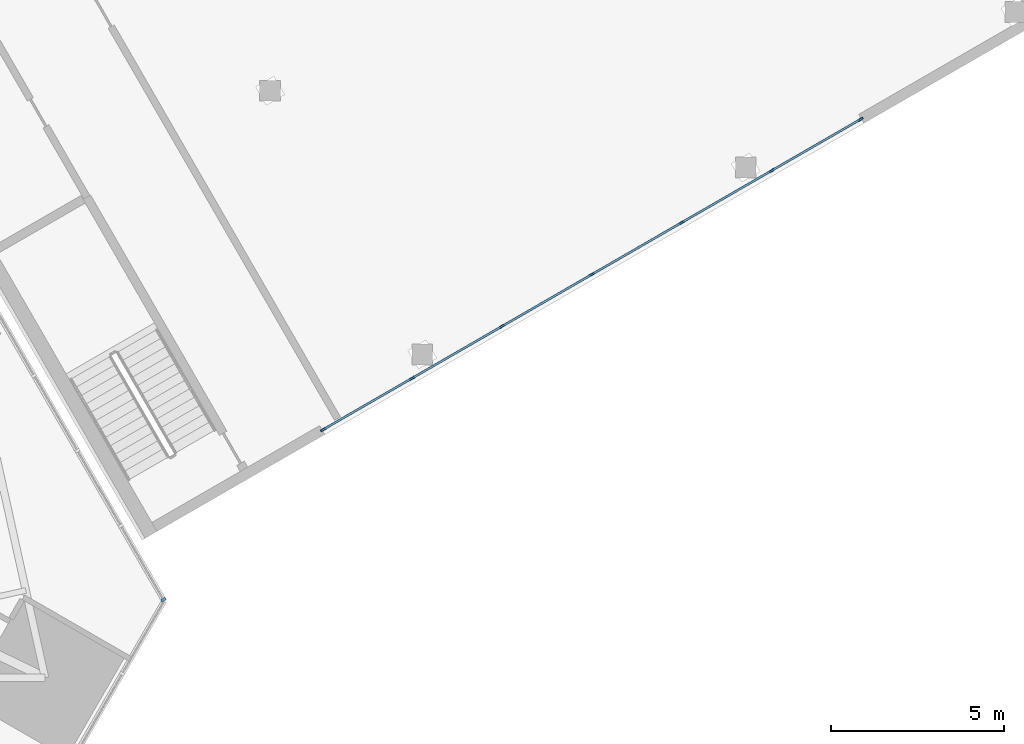
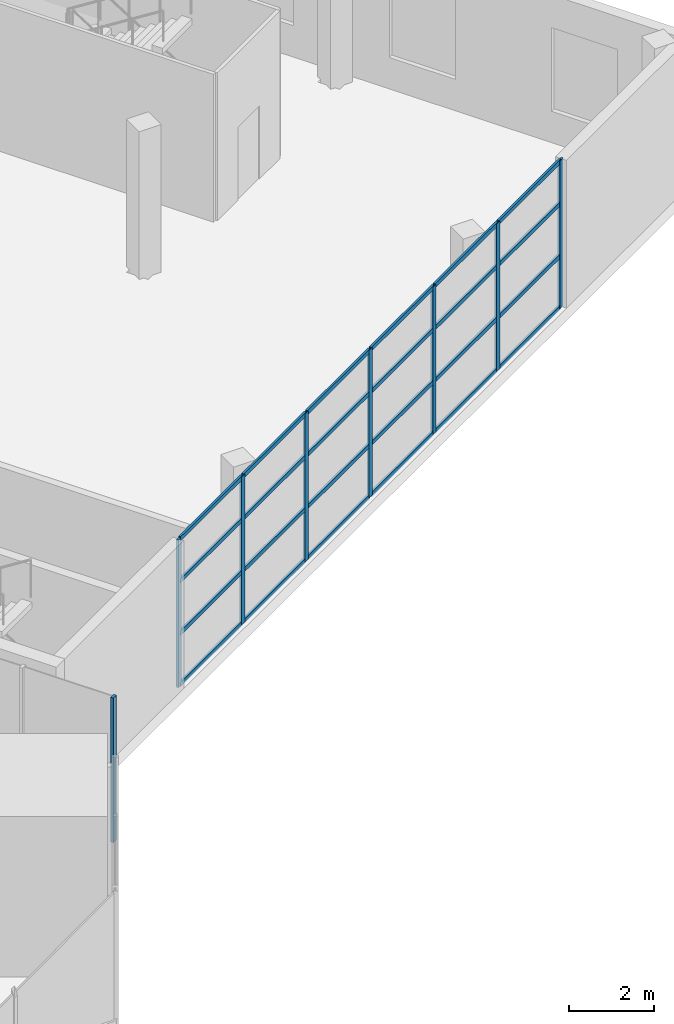
# One storey, part 13 of 30: 32 members, 2 elements without a shape of their own.
"""IFC4 building model written with IfcOpenShell, lengths in metres."""

from ifc_helpers import new_model, si_unit, direction, frame, origin, origin_2d, place, context, subcontext, project, spatial, rectangle, extrude, material, layer, layer_set, material_profile, profile_set, type_object, element, aggregate, save


model = new_model("IFC4")

# Units and contexts
model_context = context("Model", 3, precision=1e-05, world=origin(), true_north=direction((0.0, 1.0)))
body_context = subcontext(model_context, "Body", "Model", "MODEL_VIEW")
ifc_project = project(units=[si_unit("LENGTHUNIT", "METRE"), si_unit("AREAUNIT", "SQUARE_METRE"), si_unit("VOLUMEUNIT", "CUBIC_METRE"), si_unit("PLANEANGLEUNIT", "RADIAN"), si_unit("MASSUNIT", "GRAM", prefix="KILO")], contexts=[model_context])

# Site, building, storey
site_placement = place(None, origin())
site = spatial("IfcSite", under=ifc_project, at=site_placement, CompositionType="ELEMENT")
building_placement = place(site_placement, origin())
building = spatial("IfcBuilding", under=site, at=building_placement, Name="Firuza Gate Tower and Library", CompositionType="ELEMENT")
storey_placement = place(building_placement, frame((0.0, 0.0, 12.60009765625)))
storey = spatial("IfcBuildingStorey", under=building, at=storey_placement, Name="L02", CompositionType="ELEMENT", Elevation=12.60009765625)

# Curtain wall, member
ifc_material_1 = material(Name="Aluminium 6063-T6", Category="aluminium")
ifc_layer = layer(ifc_material_1, 0.14990234375)
ifc_layer_set = layer_set([ifc_layer], Name="Stick curtain wall, podium")
curtain_wall_type_1 = type_object("IfcCurtainWallType", Name="Stick curtain wall, podium", PredefinedType="NOTDEFINED", material=ifc_layer_set)
placement = place(storey_placement, origin())
curtain_wall_1 = element("IfcCurtainWall", 1, at=placement, inside=storey, type_object=curtain_wall_type_1, Name="CW5 L02 E", PredefinedType="NOTDEFINED")
ifc_material_2 = material(Name="Aluminium 6063-T6", Category="aluminium")
ifc_material_profile_1 = material_profile(ifc_material_2, rectangle(XDim=0.14990234375, YDim=0.080078125, at=origin_2d()))
ifc_profile_set_1 = profile_set([ifc_material_profile_1], Name="Aluminium 6063-T6")
member_type_1 = type_object("IfcMemberType", Name="Curtain wall mullion 80x150", PredefinedType="MULLION", material=ifc_profile_set_1)
member_1_placement = place(storey_placement, frame((107.466552734375, 60.4853515625, 0.14990234375), z_axis=(0.0, 0.0, 1.0), x_axis=(-0.866025403784, -0.5, 0.0)))
member_1 = element("IfcMember", 2, at=member_1_placement, type_object=member_type_1, Name="Mullion", PredefinedType="MULLION", context=body_context, shape_type="SweptSolid", body=[
    extrude(rectangle(XDim=0.14990234375, YDim=0.080078125, at=origin_2d()), origin(), (0.0, 0.0, 1.0), 4.14990234375),
])
aggregate(curtain_wall_1, [member_1])

# Curtain wall, members
ifc_material_3 = material(Name="Aluminium", Category="aluminium")
curtain_wall_type_2 = type_object("IfcCurtainWallType", Name="LIB CURTAIN WALL", PredefinedType="NOTDEFINED", material=ifc_material_3)
curtain_wall_2 = element("IfcCurtainWall", 3, at=placement, inside=storey, type_object=curtain_wall_type_2, Name="L02 south curtain wall", PredefinedType="NOTDEFINED")
ifc_material_4 = material(Name="Aluminium", Category="aluminium")
ifc_material_profile_2 = material_profile(ifc_material_4, rectangle(XDim=0.06005859375, YDim=0.159912109375, at=origin_2d()))
ifc_profile_set_2 = profile_set([ifc_material_profile_2], Name="Aluminium")
member_type_2 = type_object("IfcMemberType", Name="LIB MULLION 60X160", PredefinedType="MULLION", material=ifc_profile_set_2)
member_2_placement = place(storey_placement, frame((112.080078125, 65.404541015625, 0.0), z_axis=(0.0, 0.0, 1.0), x_axis=(-0.500001377656, 0.866024608393, 0.0)))
member_2 = element("IfcMember", 4, at=member_2_placement, type_object=member_type_2, Name="LIB-CW mullion 1", PredefinedType="MULLION", context=body_context, shape_type="SweptSolid", body=[
    extrude(rectangle(XDim=0.06005859375, YDim=0.159912109375, at=origin_2d()), origin(), (0.0, 0.0, 1.0), 4.239990234375),
])
member_3_placement = place(storey_placement, frame((114.65234375, 66.889404296875, 0.0), z_axis=(0.0, 0.0, 1.0), x_axis=(-0.500001377656, 0.866024608393, 0.0)))
member_3 = element("IfcMember", 5, at=member_3_placement, type_object=member_type_2, Name="LIB-CW mullion 2", PredefinedType="MULLION", context=body_context, shape_type="SweptSolid", body=[
    extrude(rectangle(XDim=0.06005859375, YDim=0.159912109375, at=origin_2d()), origin(), (0.0, 0.0, 1.0), 4.239990234375),
])
member_4_placement = place(storey_placement, frame((117.250244140625, 68.389404296875, 0.0), z_axis=(0.0, 0.0, 1.0), x_axis=(-0.500001377656, 0.866024608393, 0.0)))
member_4 = element("IfcMember", 6, at=member_4_placement, type_object=member_type_2, Name="LIB-CW mullion 3", PredefinedType="MULLION", context=body_context, shape_type="SweptSolid", body=[
    extrude(rectangle(XDim=0.06005859375, YDim=0.159912109375, at=origin_2d()), origin(), (0.0, 0.0, 1.0), 4.239990234375),
])
member_5_placement = place(storey_placement, frame((119.848388671875, 69.889404296875, 0.0), z_axis=(0.0, 0.0, 1.0), x_axis=(-0.500001377656, 0.866024608393, 0.0)))
member_5 = element("IfcMember", 7, at=member_5_placement, type_object=member_type_2, Name="LIB-CW mullion 4", PredefinedType="MULLION", context=body_context, shape_type="SweptSolid", body=[
    extrude(rectangle(XDim=0.06005859375, YDim=0.159912109375, at=origin_2d()), origin(), (0.0, 0.0, 1.0), 4.239990234375),
])
member_6_placement = place(storey_placement, frame((122.446533203125, 71.389404296875, 0.0), z_axis=(0.0, 0.0, 1.0), x_axis=(-0.500001377656, 0.866024608393, 0.0)))
member_6 = element("IfcMember", 8, at=member_6_placement, type_object=member_type_2, Name="LIB-CW mullion 5", PredefinedType="MULLION", context=body_context, shape_type="SweptSolid", body=[
    extrude(rectangle(XDim=0.06005859375, YDim=0.159912109375, at=origin_2d()), origin(), (0.0, 0.0, 1.0), 4.239990234375),
])
member_7_placement = place(storey_placement, frame((125.04443359375, 72.889404296875, 0.0), z_axis=(0.0, 0.0, 1.0), x_axis=(-0.500001377656, 0.866024608393, 0.0)))
member_7 = element("IfcMember", 9, at=member_7_placement, type_object=member_type_2, Name="LIB-CW mullion 6", PredefinedType="MULLION", context=body_context, shape_type="SweptSolid", body=[
    extrude(rectangle(XDim=0.06005859375, YDim=0.159912109375, at=origin_2d()), origin(), (0.0, 0.0, 1.0), 4.239990234375),
])
member_8_placement = place(storey_placement, frame((127.61669921875, 74.37451171875, 0.0), z_axis=(0.0, 0.0, 1.0), x_axis=(-0.500001377656, 0.866024608393, 0.0)))
member_8 = element("IfcMember", 10, at=member_8_placement, type_object=member_type_2, Name="LIB-CW mullion 7", PredefinedType="MULLION", context=body_context, shape_type="SweptSolid", body=[
    extrude(rectangle(XDim=0.06005859375, YDim=0.159912109375, at=origin_2d()), origin(), (0.0, 0.0, 1.0), 4.239990234375),
])
ifc_material_5 = material(Name="Aluminium", Category="aluminium")
ifc_material_profile_3 = material_profile(ifc_material_5, rectangle(XDim=0.06005859375, YDim=0.1201171875, at=origin_2d()))
ifc_profile_set_3 = profile_set([ifc_material_profile_3], Name="Aluminium")
member_type_3 = type_object("IfcMemberType", Name="LIB TRANSOM 60X120", PredefinedType="USERDEFINED", material=ifc_profile_set_3)
member_9_placement = place(storey_placement, frame((112.106201171875, 65.41943359375, 0.02978515625), z_axis=(0.866003949776, 0.500037157592, 0.0), x_axis=(-0.500037157592, 0.866003949776, 0.0)))
member_9 = element("IfcMember", 11, at=member_9_placement, type_object=member_type_3, Name="LIB-CW transom 1.1", ObjectType="TRANSOM", PredefinedType="USERDEFINED", context=body_context, shape_type="SweptSolid", body=[
    extrude(rectangle(XDim=0.06005859375, YDim=0.1201171875, at=origin_2d()), origin(), (0.0, 0.0, 1.0), 2.909912109375),
])
member_10_placement = place(storey_placement, frame((112.106201171875, 65.41943359375, 1.5), z_axis=(0.866003949776, 0.500037157592, 0.0), x_axis=(-0.500037157592, 0.866003949776, 0.0)))
member_10 = element("IfcMember", 12, at=member_10_placement, type_object=member_type_3, Name="LIB-CW transom 1.2", ObjectType="TRANSOM", PredefinedType="USERDEFINED", context=body_context, shape_type="SweptSolid", body=[
    extrude(rectangle(XDim=0.06005859375, YDim=0.1201171875, at=origin_2d()), origin(), (0.0, 0.0, 1.0), 2.909912109375),
])
member_11_placement = place(storey_placement, frame((112.106201171875, 65.41943359375, 3.0), z_axis=(0.866003949776, 0.500037157592, 0.0), x_axis=(-0.500037157592, 0.866003949776, 0.0)))
member_11 = element("IfcMember", 13, at=member_11_placement, type_object=member_type_3, Name="LIB-CW transom 1.3", ObjectType="TRANSOM", PredefinedType="USERDEFINED", context=body_context, shape_type="SweptSolid", body=[
    extrude(rectangle(XDim=0.06005859375, YDim=0.1201171875, at=origin_2d()), origin(), (0.0, 0.0, 1.0), 2.909912109375),
])
member_12_placement = place(storey_placement, frame((112.106201171875, 65.41943359375, 4.2099609375), z_axis=(0.866003949776, 0.500037157592, 0.0), x_axis=(-0.500037157592, 0.866003949776, 0.0)))
member_12 = element("IfcMember", 14, at=member_12_placement, type_object=member_type_3, Name="LIB-CW transom 1.4", ObjectType="TRANSOM", PredefinedType="USERDEFINED", context=body_context, shape_type="SweptSolid", body=[
    extrude(rectangle(XDim=0.06005859375, YDim=0.1201171875, at=origin_2d()), origin(), (0.0, 0.0, 1.0), 2.909912109375),
])
member_13_placement = place(storey_placement, frame((114.67822265625, 66.904541015625, 0.02978515625), z_axis=(0.866032090307, 0.499988418424, 0.0), x_axis=(-0.499988418424, 0.866032090307, 0.0)))
member_13 = element("IfcMember", 15, at=member_13_placement, type_object=member_type_3, Name="LIB-CW transom 2.1", ObjectType="TRANSOM", PredefinedType="USERDEFINED", context=body_context, shape_type="SweptSolid", body=[
    extrude(rectangle(XDim=0.06005859375, YDim=0.1201171875, at=origin_2d()), origin(), (0.0, 0.0, 1.0), 2.93994140625),
])
member_14_placement = place(storey_placement, frame((114.67822265625, 66.904541015625, 1.5), z_axis=(0.866032090307, 0.499988418424, 0.0), x_axis=(-0.499988418424, 0.866032090307, 0.0)))
member_14 = element("IfcMember", 16, at=member_14_placement, type_object=member_type_3, Name="LIB-CW transom 2.2", ObjectType="TRANSOM", PredefinedType="USERDEFINED", context=body_context, shape_type="SweptSolid", body=[
    extrude(rectangle(XDim=0.06005859375, YDim=0.1201171875, at=origin_2d()), origin(), (0.0, 0.0, 1.0), 2.93994140625),
])
member_15_placement = place(storey_placement, frame((114.67822265625, 66.904541015625, 3.0), z_axis=(0.866032090307, 0.499988418424, 0.0), x_axis=(-0.499988418424, 0.866032090307, 0.0)))
member_15 = element("IfcMember", 17, at=member_15_placement, type_object=member_type_3, Name="LIB-CW transom 2.3", ObjectType="TRANSOM", PredefinedType="USERDEFINED", context=body_context, shape_type="SweptSolid", body=[
    extrude(rectangle(XDim=0.06005859375, YDim=0.1201171875, at=origin_2d()), origin(), (0.0, 0.0, 1.0), 2.93994140625),
])
member_16_placement = place(storey_placement, frame((114.67822265625, 66.904541015625, 4.2099609375), z_axis=(0.866032090307, 0.499988418424, 0.0), x_axis=(-0.499988418424, 0.866032090307, 0.0)))
member_16 = element("IfcMember", 18, at=member_16_placement, type_object=member_type_3, Name="LIB-CW transom 2.4", ObjectType="TRANSOM", PredefinedType="USERDEFINED", context=body_context, shape_type="SweptSolid", body=[
    extrude(rectangle(XDim=0.06005859375, YDim=0.1201171875, at=origin_2d()), origin(), (0.0, 0.0, 1.0), 2.93994140625),
])
member_17_placement = place(storey_placement, frame((117.2763671875, 68.404541015625, 0.02978515625), z_axis=(0.866032090307, 0.499988418424, 0.0), x_axis=(-0.499988418424, 0.866032090307, 0.0)))
member_17 = element("IfcMember", 19, at=member_17_placement, type_object=member_type_3, Name="LIB-CW transom 3.1", ObjectType="TRANSOM", PredefinedType="USERDEFINED", context=body_context, shape_type="SweptSolid", body=[
    extrude(rectangle(XDim=0.06005859375, YDim=0.1201171875, at=origin_2d()), origin(), (0.0, 0.0, 1.0), 2.93994140625),
])
member_18_placement = place(storey_placement, frame((117.2763671875, 68.404541015625, 1.5), z_axis=(0.866032090307, 0.499988418424, 0.0), x_axis=(-0.499988418424, 0.866032090307, 0.0)))
member_18 = element("IfcMember", 20, at=member_18_placement, type_object=member_type_3, Name="LIB-CW transom 3.2", ObjectType="TRANSOM", PredefinedType="USERDEFINED", context=body_context, shape_type="SweptSolid", body=[
    extrude(rectangle(XDim=0.06005859375, YDim=0.1201171875, at=origin_2d()), origin(), (0.0, 0.0, 1.0), 2.93994140625),
])
member_19_placement = place(storey_placement, frame((117.2763671875, 68.404541015625, 3.0), z_axis=(0.866032090307, 0.499988418424, 0.0), x_axis=(-0.499988418424, 0.866032090307, 0.0)))
member_19 = element("IfcMember", 21, at=member_19_placement, type_object=member_type_3, Name="LIB-CW transom 3.3", ObjectType="TRANSOM", PredefinedType="USERDEFINED", context=body_context, shape_type="SweptSolid", body=[
    extrude(rectangle(XDim=0.06005859375, YDim=0.1201171875, at=origin_2d()), origin(), (0.0, 0.0, 1.0), 2.93994140625),
])
member_20_placement = place(storey_placement, frame((117.2763671875, 68.404541015625, 4.2099609375), z_axis=(0.866032090307, 0.499988418424, 0.0), x_axis=(-0.499988418424, 0.866032090307, 0.0)))
member_20 = element("IfcMember", 22, at=member_20_placement, type_object=member_type_3, Name="LIB-CW transom 3.4", ObjectType="TRANSOM", PredefinedType="USERDEFINED", context=body_context, shape_type="SweptSolid", body=[
    extrude(rectangle(XDim=0.06005859375, YDim=0.1201171875, at=origin_2d()), origin(), (0.0, 0.0, 1.0), 2.93994140625),
])
member_21_placement = place(storey_placement, frame((119.874267578125, 69.904541015625, 0.02978515625), z_axis=(0.866032090307, 0.499988418424, 0.0), x_axis=(-0.499988418424, 0.866032090307, 0.0)))
member_21 = element("IfcMember", 23, at=member_21_placement, type_object=member_type_3, Name="LIB-CW transom 4.1", ObjectType="TRANSOM", PredefinedType="USERDEFINED", context=body_context, shape_type="SweptSolid", body=[
    extrude(rectangle(XDim=0.06005859375, YDim=0.1201171875, at=origin_2d()), origin(), (0.0, 0.0, 1.0), 2.93994140625),
])
member_22_placement = place(storey_placement, frame((119.874267578125, 69.904541015625, 1.5), z_axis=(0.866032090307, 0.499988418424, 0.0), x_axis=(-0.499988418424, 0.866032090307, 0.0)))
member_22 = element("IfcMember", 24, at=member_22_placement, type_object=member_type_3, Name="LIB-CW transom 4.2", ObjectType="TRANSOM", PredefinedType="USERDEFINED", context=body_context, shape_type="SweptSolid", body=[
    extrude(rectangle(XDim=0.06005859375, YDim=0.1201171875, at=origin_2d()), origin(), (0.0, 0.0, 1.0), 2.93994140625),
])
member_23_placement = place(storey_placement, frame((119.874267578125, 69.904541015625, 3.0), z_axis=(0.866032090307, 0.499988418424, 0.0), x_axis=(-0.499988418424, 0.866032090307, 0.0)))
member_23 = element("IfcMember", 25, at=member_23_placement, type_object=member_type_3, Name="LIB-CW transom 4.3", ObjectType="TRANSOM", PredefinedType="USERDEFINED", context=body_context, shape_type="SweptSolid", body=[
    extrude(rectangle(XDim=0.06005859375, YDim=0.1201171875, at=origin_2d()), origin(), (0.0, 0.0, 1.0), 2.93994140625),
])
member_24_placement = place(storey_placement, frame((119.874267578125, 69.904541015625, 4.2099609375), z_axis=(0.866032090307, 0.499988418424, 0.0), x_axis=(-0.499988418424, 0.866032090307, 0.0)))
member_24 = element("IfcMember", 26, at=member_24_placement, type_object=member_type_3, Name="LIB-CW transom 4.4", ObjectType="TRANSOM", PredefinedType="USERDEFINED", context=body_context, shape_type="SweptSolid", body=[
    extrude(rectangle(XDim=0.06005859375, YDim=0.1201171875, at=origin_2d()), origin(), (0.0, 0.0, 1.0), 2.93994140625),
])
member_25_placement = place(storey_placement, frame((122.472412109375, 71.404541015625, 0.02978515625), z_axis=(0.866032090307, 0.499988418424, 0.0), x_axis=(-0.499988418424, 0.866032090307, 0.0)))
member_25 = element("IfcMember", 27, at=member_25_placement, type_object=member_type_3, Name="LIB-CW transom 5.1", ObjectType="TRANSOM", PredefinedType="USERDEFINED", context=body_context, shape_type="SweptSolid", body=[
    extrude(rectangle(XDim=0.06005859375, YDim=0.1201171875, at=origin_2d()), origin(), (0.0, 0.0, 1.0), 2.93994140625),
])
member_26_placement = place(storey_placement, frame((122.472412109375, 71.404541015625, 1.5), z_axis=(0.866032090307, 0.499988418424, 0.0), x_axis=(-0.499988418424, 0.866032090307, 0.0)))
member_26 = element("IfcMember", 28, at=member_26_placement, type_object=member_type_3, Name="LIB-CW transom 5.2", ObjectType="TRANSOM", PredefinedType="USERDEFINED", context=body_context, shape_type="SweptSolid", body=[
    extrude(rectangle(XDim=0.06005859375, YDim=0.1201171875, at=origin_2d()), origin(), (0.0, 0.0, 1.0), 2.93994140625),
])
member_27_placement = place(storey_placement, frame((122.472412109375, 71.404541015625, 3.0), z_axis=(0.866032090307, 0.499988418424, 0.0), x_axis=(-0.499988418424, 0.866032090307, 0.0)))
member_27 = element("IfcMember", 29, at=member_27_placement, type_object=member_type_3, Name="LIB-CW transom 5.3", ObjectType="TRANSOM", PredefinedType="USERDEFINED", context=body_context, shape_type="SweptSolid", body=[
    extrude(rectangle(XDim=0.06005859375, YDim=0.1201171875, at=origin_2d()), origin(), (0.0, 0.0, 1.0), 2.93994140625),
])
member_28_placement = place(storey_placement, frame((122.472412109375, 71.404541015625, 4.2099609375), z_axis=(0.866032090307, 0.499988418424, 0.0), x_axis=(-0.499988418424, 0.866032090307, 0.0)))
member_28 = element("IfcMember", 30, at=member_28_placement, type_object=member_type_3, Name="LIB-CW transom 5.4", ObjectType="TRANSOM", PredefinedType="USERDEFINED", context=body_context, shape_type="SweptSolid", body=[
    extrude(rectangle(XDim=0.06005859375, YDim=0.1201171875, at=origin_2d()), origin(), (0.0, 0.0, 1.0), 2.93994140625),
])
member_29_placement = place(storey_placement, frame((125.070556640625, 72.904541015625, 0.02978515625), z_axis=(0.866003949776, 0.500037157592, 0.0), x_axis=(-0.500037157592, 0.866003949776, 0.0)))
member_29 = element("IfcMember", 31, at=member_29_placement, type_object=member_type_3, Name="LIB-CW transom 6.1", ObjectType="TRANSOM", PredefinedType="USERDEFINED", context=body_context, shape_type="SweptSolid", body=[
    extrude(rectangle(XDim=0.06005859375, YDim=0.1201171875, at=origin_2d()), origin(), (0.0, 0.0, 1.0), 2.909912109375),
])
member_30_placement = place(storey_placement, frame((125.070556640625, 72.904541015625, 1.5), z_axis=(0.866003949776, 0.500037157592, 0.0), x_axis=(-0.500037157592, 0.866003949776, 0.0)))
member_30 = element("IfcMember", 32, at=member_30_placement, type_object=member_type_3, Name="LIB-CW transom 6.2", ObjectType="TRANSOM", PredefinedType="USERDEFINED", context=body_context, shape_type="SweptSolid", body=[
    extrude(rectangle(XDim=0.06005859375, YDim=0.1201171875, at=origin_2d()), origin(), (0.0, 0.0, 1.0), 2.909912109375),
])
member_31_placement = place(storey_placement, frame((125.070556640625, 72.904541015625, 3.0), z_axis=(0.866003949776, 0.500037157592, 0.0), x_axis=(-0.500037157592, 0.866003949776, 0.0)))
member_31 = element("IfcMember", 33, at=member_31_placement, type_object=member_type_3, Name="LIB-CW transom 6.3", ObjectType="TRANSOM", PredefinedType="USERDEFINED", context=body_context, shape_type="SweptSolid", body=[
    extrude(rectangle(XDim=0.06005859375, YDim=0.1201171875, at=origin_2d()), origin(), (0.0, 0.0, 1.0), 2.909912109375),
])
member_32_placement = place(storey_placement, frame((125.070556640625, 72.904541015625, 4.2099609375), z_axis=(0.866003949776, 0.500037157592, 0.0), x_axis=(-0.500037157592, 0.866003949776, 0.0)))
member_32 = element("IfcMember", 34, at=member_32_placement, type_object=member_type_3, Name="LIB-CW transom 6.4", ObjectType="TRANSOM", PredefinedType="USERDEFINED", context=body_context, shape_type="SweptSolid", body=[
    extrude(rectangle(XDim=0.06005859375, YDim=0.1201171875, at=origin_2d()), origin(), (0.0, 0.0, 1.0), 2.909912109375),
])
aggregate(curtain_wall_2, [member_2, member_3, member_4, member_5, member_6, member_7, member_8, member_9, member_10, member_11, member_12, member_13, member_14, member_15, member_16, member_17, member_18, member_19, member_20, member_21, member_22, member_23, member_24, member_25, member_26, member_27, member_28, member_29, member_30, member_31, member_32])

save(model, "model.ifc")
